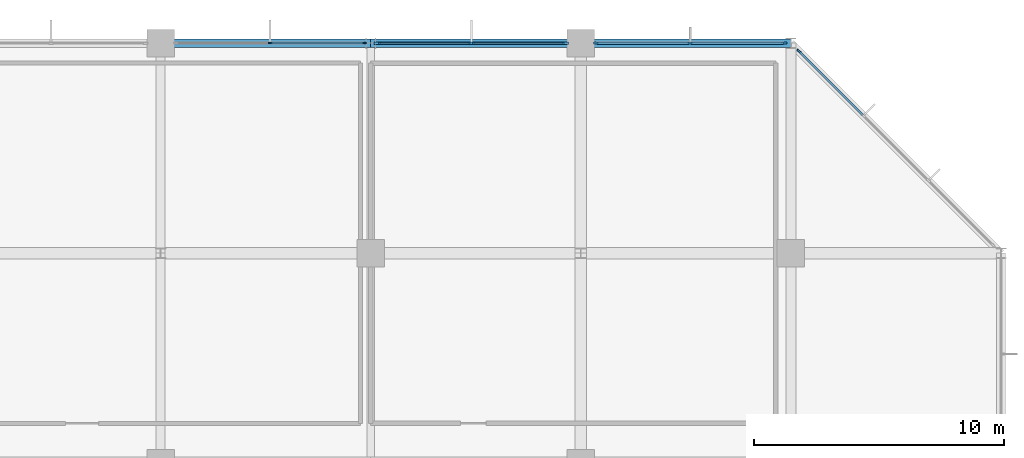
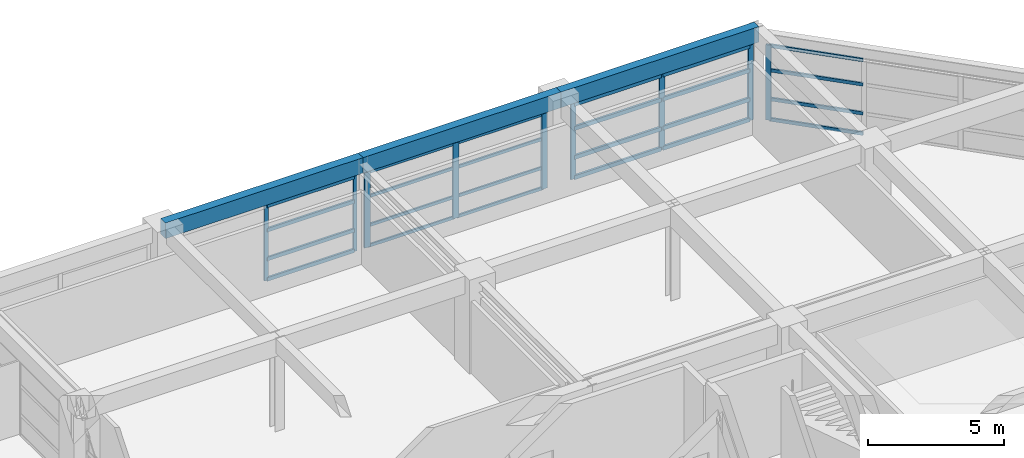
# One storey, part 26 of 34: 33 members, 3 beams, 4 elements without a shape of their own.
"""IFC4 building model written with IfcOpenShell, lengths in metres."""

from ifc_helpers import new_model, si_unit, direction, frame, origin, origin_2d, place, context, subcontext, project, spatial, rectangle, extrude, material, material_profile, profile_set, type_object, element, aggregate, save


model = new_model("IFC4")

# Units and contexts
model_context = context("Model", 3, precision=1e-05, world=origin(), true_north=direction((0.0, 1.0)))
body_context = subcontext(model_context, "Body", "Model", "MODEL_VIEW")
ifc_project = project(units=[si_unit("LENGTHUNIT", "METRE"), si_unit("AREAUNIT", "SQUARE_METRE"), si_unit("VOLUMEUNIT", "CUBIC_METRE"), si_unit("PLANEANGLEUNIT", "RADIAN"), si_unit("MASSUNIT", "GRAM", prefix="KILO")], contexts=[model_context])

# Site, building, storey
site_placement = place(None, origin())
site = spatial("IfcSite", under=ifc_project, at=site_placement, CompositionType="ELEMENT")
building_placement = place(site_placement, origin())
building = spatial("IfcBuilding", under=site, at=building_placement, Name="Xuanlan Plaza Opera House", CompositionType="ELEMENT")
storey_placement = place(building_placement, frame((0.0, 0.0, 27.89990234375)))
storey = spatial("IfcBuildingStorey", under=building, at=storey_placement, Name="L06", CompositionType="ELEMENT", Elevation=27.89990234375)

# Curtain wall, members
ifc_material_1 = material(Name="Anodised Aluminium 6063-T6 and Low-E Glass", Category="aluminium")
curtain_wall_type_1 = type_object("IfcCurtainWallType", Name="ENV-CW-CW-01", PredefinedType="USERDEFINED", material=ifc_material_1)
curtain_wall_1_placement = place(storey_placement, origin())
curtain_wall_1 = element("IfcCurtainWall", 1, at=curtain_wall_1_placement, inside=storey, type_object=curtain_wall_type_1, Name="Unitised Curtain Wall L06-013", ObjectType="UNITISED CURTAIN WALL", PredefinedType="USERDEFINED")
ifc_material_2 = material(Name="Anodised Aluminium 6063-T6", Category="aluminium")
ifc_material_profile_1 = material_profile(ifc_material_2, rectangle(XDim=0.06494140625, YDim=0.159912109375, at=origin_2d()), Name="ALU-M 65x160")
ifc_profile_set_1 = profile_set([ifc_material_profile_1], Name="Anodised Aluminium 6063-T6")
member_type_1 = type_object("IfcMemberType", Name="ENV-CWM-01", PredefinedType="MULLION", material=ifc_profile_set_1)
member_1_placement = place(storey_placement, frame((142.547607421875, 84.0, 0.0), z_axis=(0.0, 0.0, 1.0), x_axis=(0.0, -1.0, 0.0)))
member_1 = element("IfcMember", 2, at=member_1_placement, type_object=member_type_1, Name="CW-01 mullion 1", PredefinedType="MULLION", context=body_context, shape_type="SweptSolid", body=[
    extrude(rectangle(XDim=0.06494140625, YDim=0.159912109375, at=origin_2d()), origin(), (0.0, 0.0, 1.0), 3.380126953125),
])
member_2_placement = place(storey_placement, frame((138.77490234375, 84.0, 0.0), z_axis=(0.0, 0.0, 1.0), x_axis=(0.0, -1.0, 0.0)))
member_2 = element("IfcMember", 3, at=member_2_placement, type_object=member_type_1, Name="CW-01 mullion 2", PredefinedType="MULLION", context=body_context, shape_type="SweptSolid", body=[
    extrude(rectangle(XDim=0.06494140625, YDim=0.159912109375, at=origin_2d()), origin(), (0.0, 0.0, 1.0), 3.380126953125),
])

# Curtain wall, member
curtain_wall_type_2 = type_object("IfcCurtainWallType", Name="ENV-CW-CW-02", PredefinedType="USERDEFINED", material=ifc_material_1)
curtain_wall_2_placement = place(storey_placement, origin())
curtain_wall_2 = element("IfcCurtainWall", 4, at=curtain_wall_2_placement, inside=storey, type_object=curtain_wall_type_2, Name="Unitised Curtain Wall L06-010", ObjectType="UNITISED CURTAIN WALL", PredefinedType="USERDEFINED")
ifc_material_profile_2 = material_profile(ifc_material_2, rectangle(XDim=0.074951171875, YDim=0.199951171875, at=origin_2d()), Name="ALU-M 75x200")
ifc_profile_set_2 = profile_set([ifc_material_profile_2], Name="Anodised Aluminium 6063-T6")
member_type_2 = type_object("IfcMemberType", Name="ENV-CWM-03", PredefinedType="MULLION", material=ifc_profile_set_2)
member_3_placement = place(storey_placement, frame((159.925537109375, 83.674560546875, 0.0), z_axis=(0.0, 0.0, 1.0), x_axis=(-0.707106781187, -0.707106781187, 0.0)))
member_3 = element("IfcMember", 5, at=member_3_placement, type_object=member_type_2, Name="CW-02 mullion 4", PredefinedType="MULLION", context=body_context, shape_type="SweptSolid", body=[
    extrude(rectangle(XDim=0.074951171875, YDim=0.199951171875, at=origin_2d()), origin(), (0.0, 0.0, 1.0), 3.380126953125),
])

# Curtain wall, members
curtain_wall_type_3 = type_object("IfcCurtainWallType", Name="ENV-CW-CW-03", PredefinedType="USERDEFINED", material=ifc_material_1)
curtain_wall_3_placement = place(storey_placement, origin())
curtain_wall_3 = element("IfcCurtainWall", 6, at=curtain_wall_3_placement, inside=storey, type_object=curtain_wall_type_3, Name="Unitised Curtain Wall L06-011", ObjectType="UNITISED CURTAIN WALL", PredefinedType="USERDEFINED")
ifc_material_profile_3 = material_profile(ifc_material_2, rectangle(XDim=0.080078125, YDim=0.219970703125, at=origin_2d()), Name="ALU-M 80x220")
ifc_profile_set_3 = profile_set([ifc_material_profile_3], Name="Anodised Aluminium 6063-T6")
member_type_3 = type_object("IfcMemberType", Name="ENV-CWM-04", PredefinedType="MULLION", material=ifc_profile_set_3)
member_4_placement = place(storey_placement, frame((159.340087890625, 84.0, 0.0), z_axis=(0.0, 0.0, 1.0), x_axis=(0.0, -1.0, 0.0)))
member_4 = element("IfcMember", 7, at=member_4_placement, type_object=member_type_3, Name="CW-03 mullion 1", PredefinedType="MULLION", context=body_context, shape_type="SweptSolid", body=[
    extrude(rectangle(XDim=0.080078125, YDim=0.219970703125, at=origin_2d()), origin(), (0.0, 0.0, 1.0), 3.380126953125),
])
member_5_placement = place(storey_placement, frame((155.574951171875, 84.0, 0.0), z_axis=(0.0, 0.0, 1.0), x_axis=(0.0, -1.0, 0.0)))
member_5 = element("IfcMember", 8, at=member_5_placement, type_object=member_type_3, Name="CW-03 mullion 2", PredefinedType="MULLION", context=body_context, shape_type="SweptSolid", body=[
    extrude(rectangle(XDim=0.080078125, YDim=0.219970703125, at=origin_2d()), origin(), (0.0, 0.0, 1.0), 3.380126953125),
])
member_6_placement = place(storey_placement, frame((151.81005859375, 84.0, 0.0), z_axis=(0.0, 0.0, 1.0), x_axis=(0.0, -1.0, 0.0)))
member_6 = element("IfcMember", 9, at=member_6_placement, type_object=member_type_3, Name="CW-03 mullion 3", PredefinedType="MULLION", context=body_context, shape_type="SweptSolid", body=[
    extrude(rectangle(XDim=0.080078125, YDim=0.219970703125, at=origin_2d()), origin(), (0.0, 0.0, 1.0), 3.380126953125),
])

curtain_wall_type_4 = type_object("IfcCurtainWallType", Name="ENV-CW-CW-04", PredefinedType="USERDEFINED", material=ifc_material_1)
curtain_wall_4_placement = place(storey_placement, origin())
curtain_wall_4 = element("IfcCurtainWall", 10, at=curtain_wall_4_placement, inside=storey, type_object=curtain_wall_type_4, Name="Unitised Curtain Wall L06-012", ObjectType="UNITISED CURTAIN WALL", PredefinedType="USERDEFINED")
ifc_material_profile_4 = material_profile(ifc_material_2, rectangle(XDim=0.090087890625, YDim=0.25, at=origin_2d()), Name="ALU-M 90x250")
ifc_profile_set_4 = profile_set([ifc_material_profile_4], Name="Anodised Aluminium 6063-T6")
member_type_4 = type_object("IfcMemberType", Name="ENV-CWM-05", PredefinedType="MULLION", material=ifc_profile_set_4)
member_7_placement = place(storey_placement, frame((150.5849609375, 84.0, 0.0), z_axis=(0.0, 0.0, 1.0), x_axis=(0.0, -1.0, 0.0)))
member_7 = element("IfcMember", 11, at=member_7_placement, type_object=member_type_4, Name="CW-04 mullion 1", PredefinedType="MULLION", context=body_context, shape_type="SweptSolid", body=[
    extrude(rectangle(XDim=0.090087890625, YDim=0.25, at=origin_2d()), origin(), (0.0, 0.0, 1.0), 3.380126953125),
])
member_8_placement = place(storey_placement, frame((146.824951171875, 84.0, 0.0), z_axis=(0.0, 0.0, 1.0), x_axis=(0.0, -1.0, 0.0)))
member_8 = element("IfcMember", 12, at=member_8_placement, type_object=member_type_4, Name="CW-04 mullion 2", PredefinedType="MULLION", context=body_context, shape_type="SweptSolid", body=[
    extrude(rectangle(XDim=0.090087890625, YDim=0.25, at=origin_2d()), origin(), (0.0, 0.0, 1.0), 3.380126953125),
])
member_9_placement = place(storey_placement, frame((143.06494140625, 84.0, 0.0), z_axis=(0.0, 0.0, 1.0), x_axis=(0.0, -1.0, 0.0)))
member_9 = element("IfcMember", 13, at=member_9_placement, type_object=member_type_4, Name="CW-04 mullion 3", PredefinedType="MULLION", context=body_context, shape_type="SweptSolid", body=[
    extrude(rectangle(XDim=0.090087890625, YDim=0.25, at=origin_2d()), origin(), (0.0, 0.0, 1.0), 3.380126953125),
])
ifc_material_profile_5 = material_profile(ifc_material_2, rectangle(XDim=0.070068359375, YDim=0.135009765625, at=origin_2d()), Name="ALU-T 70x135")
ifc_profile_set_5 = profile_set([ifc_material_profile_5], Name="Anodised Aluminium 6063-T6")
member_type_5 = type_object("IfcMemberType", Name="ENV-CWT-02", PredefinedType="USERDEFINED", material=ifc_profile_set_5)
member_10_placement = place(storey_placement, frame((150.5400390625, 84.0, 0.03515625), z_axis=(-1.0, 0.0, 0.0), x_axis=(0.0, -1.0, 0.0)))
member_10 = element("IfcMember", 14, at=member_10_placement, type_object=member_type_5, Name="CW-04 transom 1.1", ObjectType="TRANSOM", PredefinedType="USERDEFINED", context=body_context, shape_type="SweptSolid", body=[
    extrude(rectangle(XDim=0.070068359375, YDim=0.135009765625, at=origin_2d()), origin(), (0.0, 0.0, 1.0), 3.669921875),
])
member_11_placement = place(storey_placement, frame((150.5400390625, 84.0, 0.9501953125), z_axis=(-1.0, 0.0, 0.0), x_axis=(0.0, -1.0, 0.0)))
member_11 = element("IfcMember", 15, at=member_11_placement, type_object=member_type_5, Name="CW-04 transom 1.2", ObjectType="TRANSOM", PredefinedType="USERDEFINED", context=body_context, shape_type="SweptSolid", body=[
    extrude(rectangle(XDim=0.070068359375, YDim=0.135009765625, at=origin_2d()), origin(), (0.0, 0.0, 1.0), 3.669921875),
])
member_12_placement = place(storey_placement, frame((150.5400390625, 84.0, 2.25), z_axis=(-1.0, 0.0, 0.0), x_axis=(0.0, -1.0, 0.0)))
member_12 = element("IfcMember", 16, at=member_12_placement, type_object=member_type_5, Name="CW-04 transom 1.3", ObjectType="TRANSOM", PredefinedType="USERDEFINED", context=body_context, shape_type="SweptSolid", body=[
    extrude(rectangle(XDim=0.070068359375, YDim=0.135009765625, at=origin_2d()), origin(), (0.0, 0.0, 1.0), 3.669921875),
])
member_13_placement = place(storey_placement, frame((150.5400390625, 84.0, 3.34521484375), z_axis=(-1.0, 0.0, 0.0), x_axis=(0.0, -1.0, 0.0)))
member_13 = element("IfcMember", 17, at=member_13_placement, type_object=member_type_5, Name="CW-04 transom 1.4", ObjectType="TRANSOM", PredefinedType="USERDEFINED", context=body_context, shape_type="SweptSolid", body=[
    extrude(rectangle(XDim=0.070068359375, YDim=0.135009765625, at=origin_2d()), origin(), (0.0, 0.0, 1.0), 3.669921875),
])
member_14_placement = place(storey_placement, frame((146.780029296875, 84.0, 0.03515625), z_axis=(-1.0, 0.0, 0.0), x_axis=(0.0, -1.0, 0.0)))
member_14 = element("IfcMember", 18, at=member_14_placement, type_object=member_type_5, Name="CW-04 transom 2.1", ObjectType="TRANSOM", PredefinedType="USERDEFINED", context=body_context, shape_type="SweptSolid", body=[
    extrude(rectangle(XDim=0.070068359375, YDim=0.135009765625, at=origin_2d()), origin(), (0.0, 0.0, 1.0), 3.669921875),
])
member_15_placement = place(storey_placement, frame((146.780029296875, 84.0, 0.9501953125), z_axis=(-1.0, 0.0, 0.0), x_axis=(0.0, -1.0, 0.0)))
member_15 = element("IfcMember", 19, at=member_15_placement, type_object=member_type_5, Name="CW-04 transom 2.2", ObjectType="TRANSOM", PredefinedType="USERDEFINED", context=body_context, shape_type="SweptSolid", body=[
    extrude(rectangle(XDim=0.070068359375, YDim=0.135009765625, at=origin_2d()), origin(), (0.0, 0.0, 1.0), 3.669921875),
])
member_16_placement = place(storey_placement, frame((146.780029296875, 84.0, 2.25), z_axis=(-1.0, 0.0, 0.0), x_axis=(0.0, -1.0, 0.0)))
member_16 = element("IfcMember", 20, at=member_16_placement, type_object=member_type_5, Name="CW-04 transom 2.3", ObjectType="TRANSOM", PredefinedType="USERDEFINED", context=body_context, shape_type="SweptSolid", body=[
    extrude(rectangle(XDim=0.070068359375, YDim=0.135009765625, at=origin_2d()), origin(), (0.0, 0.0, 1.0), 3.669921875),
])
member_17_placement = place(storey_placement, frame((146.780029296875, 84.0, 3.34521484375), z_axis=(-1.0, 0.0, 0.0), x_axis=(0.0, -1.0, 0.0)))
member_17 = element("IfcMember", 21, at=member_17_placement, type_object=member_type_5, Name="CW-04 transom 2.4", ObjectType="TRANSOM", PredefinedType="USERDEFINED", context=body_context, shape_type="SweptSolid", body=[
    extrude(rectangle(XDim=0.070068359375, YDim=0.135009765625, at=origin_2d()), origin(), (0.0, 0.0, 1.0), 3.669921875),
])
aggregate(curtain_wall_4, [member_7, member_8, member_9, member_10, member_11, member_12, member_13, member_14, member_15, member_16, member_17])

# Member
ifc_material_profile_6 = material_profile(ifc_material_2, rectangle(XDim=0.074951171875, YDim=0.14990234375, at=origin_2d()), Name="ALU-T 75x150")
ifc_profile_set_6 = profile_set([ifc_material_profile_6], Name="Anodised Aluminium 6063-T6")
member_type_6 = type_object("IfcMemberType", Name="ENV-CWT-03", PredefinedType="USERDEFINED", material=ifc_profile_set_6)
member_18_placement = place(storey_placement, frame((162.47314453125, 81.126953125, 0.03759765625), z_axis=(-0.707106781187, 0.707106781187, 0.0), x_axis=(-0.707106781187, -0.707106781187, 0.0)))
member_18 = element("IfcMember", 22, at=member_18_placement, type_object=member_type_6, Name="CW-02 transom 3.1", ObjectType="TRANSOM", PredefinedType="USERDEFINED", context=body_context, shape_type="SweptSolid", body=[
    extrude(rectangle(XDim=0.074951171875, YDim=0.14990234375, at=origin_2d()), origin(), (0.0, 0.0, 1.0), 3.565185546875),
])

member_19_placement = place(storey_placement, frame((162.47314453125, 81.126953125, 0.9501953125), z_axis=(-0.707106781187, 0.707106781187, 0.0), x_axis=(-0.707106781187, -0.707106781187, 0.0)))
member_19 = element("IfcMember", 23, at=member_19_placement, type_object=member_type_6, Name="CW-02 transom 3.2", ObjectType="TRANSOM", PredefinedType="USERDEFINED", context=body_context, shape_type="SweptSolid", body=[
    extrude(rectangle(XDim=0.074951171875, YDim=0.14990234375, at=origin_2d()), origin(), (0.0, 0.0, 1.0), 3.565185546875),
])

member_20_placement = place(storey_placement, frame((162.47314453125, 81.126953125, 2.25), z_axis=(-0.707106781187, 0.707106781187, 0.0), x_axis=(-0.707106781187, -0.707106781187, 0.0)))
member_20 = element("IfcMember", 24, at=member_20_placement, type_object=member_type_6, Name="CW-02 transom 3.3", ObjectType="TRANSOM", PredefinedType="USERDEFINED", context=body_context, shape_type="SweptSolid", body=[
    extrude(rectangle(XDim=0.074951171875, YDim=0.14990234375, at=origin_2d()), origin(), (0.0, 0.0, 1.0), 3.565185546875),
])

member_21_placement = place(storey_placement, frame((162.47314453125, 81.126953125, 3.342529296875), z_axis=(-0.707106781187, 0.707106781187, 0.0), x_axis=(-0.707106781187, -0.707106781187, 0.0)))
member_21 = element("IfcMember", 25, at=member_21_placement, type_object=member_type_6, Name="CW-02 transom 3.4", ObjectType="TRANSOM", PredefinedType="USERDEFINED", context=body_context, shape_type="SweptSolid", body=[
    extrude(rectangle(XDim=0.074951171875, YDim=0.14990234375, at=origin_2d()), origin(), (0.0, 0.0, 1.0), 3.565185546875),
])

aggregate(curtain_wall_2, [member_3, member_18, member_19, member_20, member_21])

ifc_material_profile_7 = material_profile(ifc_material_2, rectangle(XDim=0.080078125, YDim=0.1650390625, at=origin_2d()), Name="ALU-T 80x165")
ifc_profile_set_7 = profile_set([ifc_material_profile_7], Name="Anodised Aluminium 6063-T6")
member_type_7 = type_object("IfcMemberType", Name="ENV-CWT-04", PredefinedType="USERDEFINED", material=ifc_profile_set_7)
member_22_placement = place(storey_placement, frame((142.514892578125, 84.0, 0.0400390625), z_axis=(-1.0, 0.0, 0.0), x_axis=(0.0, -1.0, 0.0)))
member_22 = element("IfcMember", 26, at=member_22_placement, type_object=member_type_7, Name="CW-01 transom 1.1", ObjectType="TRANSOM", PredefinedType="USERDEFINED", context=body_context, shape_type="SweptSolid", body=[
    extrude(rectangle(XDim=0.080078125, YDim=0.1650390625, at=origin_2d()), origin(), (0.0, 0.0, 1.0), 3.707275390625),
])

member_23_placement = place(storey_placement, frame((142.514892578125, 84.0, 0.9501953125), z_axis=(-1.0, 0.0, 0.0), x_axis=(0.0, -1.0, 0.0)))
member_23 = element("IfcMember", 27, at=member_23_placement, type_object=member_type_7, Name="CW-01 transom 1.2", ObjectType="TRANSOM", PredefinedType="USERDEFINED", context=body_context, shape_type="SweptSolid", body=[
    extrude(rectangle(XDim=0.080078125, YDim=0.1650390625, at=origin_2d()), origin(), (0.0, 0.0, 1.0), 3.707275390625),
])

member_24_placement = place(storey_placement, frame((142.514892578125, 84.0, 2.25), z_axis=(-1.0, 0.0, 0.0), x_axis=(0.0, -1.0, 0.0)))
member_24 = element("IfcMember", 28, at=member_24_placement, type_object=member_type_7, Name="CW-01 transom 1.3", ObjectType="TRANSOM", PredefinedType="USERDEFINED", context=body_context, shape_type="SweptSolid", body=[
    extrude(rectangle(XDim=0.080078125, YDim=0.1650390625, at=origin_2d()), origin(), (0.0, 0.0, 1.0), 3.707275390625),
])

member_25_placement = place(storey_placement, frame((142.514892578125, 84.0, 3.340087890625), z_axis=(-1.0, 0.0, 0.0), x_axis=(0.0, -1.0, 0.0)))
member_25 = element("IfcMember", 29, at=member_25_placement, type_object=member_type_7, Name="CW-01 transom 1.4", ObjectType="TRANSOM", PredefinedType="USERDEFINED", context=body_context, shape_type="SweptSolid", body=[
    extrude(rectangle(XDim=0.080078125, YDim=0.1650390625, at=origin_2d()), origin(), (0.0, 0.0, 1.0), 3.707275390625),
])

aggregate(curtain_wall_1, [member_1, member_2, member_22, member_23, member_24, member_25])

ifc_material_profile_8 = material_profile(ifc_material_2, rectangle(XDim=0.090087890625, YDim=0.179931640625, at=origin_2d()), Name="ALU-T 90x180")
ifc_profile_set_8 = profile_set([ifc_material_profile_8], Name="Anodised Aluminium 6063-T6")
member_type_8 = type_object("IfcMemberType", Name="ENV-CWT-05", PredefinedType="USERDEFINED", material=ifc_profile_set_8)
member_26_placement = place(storey_placement, frame((159.300048828125, 84.0, 0.045166015625), z_axis=(-1.0, 0.0, 0.0), x_axis=(0.0, -1.0, 0.0)))
member_26 = element("IfcMember", 30, at=member_26_placement, type_object=member_type_8, Name="CW-03 transom 1.1", ObjectType="TRANSOM", PredefinedType="USERDEFINED", context=body_context, shape_type="SweptSolid", body=[
    extrude(rectangle(XDim=0.090087890625, YDim=0.179931640625, at=origin_2d()), origin(), (0.0, 0.0, 1.0), 3.68505859375),
])

member_27_placement = place(storey_placement, frame((159.300048828125, 84.0, 0.9501953125), z_axis=(-1.0, 0.0, 0.0), x_axis=(0.0, -1.0, 0.0)))
member_27 = element("IfcMember", 31, at=member_27_placement, type_object=member_type_8, Name="CW-03 transom 1.2", ObjectType="TRANSOM", PredefinedType="USERDEFINED", context=body_context, shape_type="SweptSolid", body=[
    extrude(rectangle(XDim=0.090087890625, YDim=0.179931640625, at=origin_2d()), origin(), (0.0, 0.0, 1.0), 3.68505859375),
])

member_28_placement = place(storey_placement, frame((159.300048828125, 84.0, 2.25), z_axis=(-1.0, 0.0, 0.0), x_axis=(0.0, -1.0, 0.0)))
member_28 = element("IfcMember", 32, at=member_28_placement, type_object=member_type_8, Name="CW-03 transom 1.3", ObjectType="TRANSOM", PredefinedType="USERDEFINED", context=body_context, shape_type="SweptSolid", body=[
    extrude(rectangle(XDim=0.090087890625, YDim=0.179931640625, at=origin_2d()), origin(), (0.0, 0.0, 1.0), 3.68505859375),
])

member_29_placement = place(storey_placement, frame((159.300048828125, 84.0, 3.335205078125), z_axis=(-1.0, 0.0, 0.0), x_axis=(0.0, -1.0, 0.0)))
member_29 = element("IfcMember", 33, at=member_29_placement, type_object=member_type_8, Name="CW-03 transom 1.4", ObjectType="TRANSOM", PredefinedType="USERDEFINED", context=body_context, shape_type="SweptSolid", body=[
    extrude(rectangle(XDim=0.090087890625, YDim=0.179931640625, at=origin_2d()), origin(), (0.0, 0.0, 1.0), 3.68505859375),
])

member_30_placement = place(storey_placement, frame((155.534912109375, 84.0, 0.045166015625), z_axis=(-1.0, 0.0, 0.0), x_axis=(0.0, -1.0, 0.0)))
member_30 = element("IfcMember", 34, at=member_30_placement, type_object=member_type_8, Name="CW-03 transom 2.1", ObjectType="TRANSOM", PredefinedType="USERDEFINED", context=body_context, shape_type="SweptSolid", body=[
    extrude(rectangle(XDim=0.090087890625, YDim=0.179931640625, at=origin_2d()), origin(), (0.0, 0.0, 1.0), 3.684814453125),
])

member_31_placement = place(storey_placement, frame((155.534912109375, 84.0, 0.9501953125), z_axis=(-1.0, 0.0, 0.0), x_axis=(0.0, -1.0, 0.0)))
member_31 = element("IfcMember", 35, at=member_31_placement, type_object=member_type_8, Name="CW-03 transom 2.2", ObjectType="TRANSOM", PredefinedType="USERDEFINED", context=body_context, shape_type="SweptSolid", body=[
    extrude(rectangle(XDim=0.090087890625, YDim=0.179931640625, at=origin_2d()), origin(), (0.0, 0.0, 1.0), 3.684814453125),
])

member_32_placement = place(storey_placement, frame((155.534912109375, 84.0, 2.25), z_axis=(-1.0, 0.0, 0.0), x_axis=(0.0, -1.0, 0.0)))
member_32 = element("IfcMember", 36, at=member_32_placement, type_object=member_type_8, Name="CW-03 transom 2.3", ObjectType="TRANSOM", PredefinedType="USERDEFINED", context=body_context, shape_type="SweptSolid", body=[
    extrude(rectangle(XDim=0.090087890625, YDim=0.179931640625, at=origin_2d()), origin(), (0.0, 0.0, 1.0), 3.684814453125),
])

member_33_placement = place(storey_placement, frame((155.534912109375, 84.0, 3.335205078125), z_axis=(-1.0, 0.0, 0.0), x_axis=(0.0, -1.0, 0.0)))
member_33 = element("IfcMember", 37, at=member_33_placement, type_object=member_type_8, Name="CW-03 transom 2.4", ObjectType="TRANSOM", PredefinedType="USERDEFINED", context=body_context, shape_type="SweptSolid", body=[
    extrude(rectangle(XDim=0.090087890625, YDim=0.179931640625, at=origin_2d()), origin(), (0.0, 0.0, 1.0), 3.684814453125),
])

aggregate(curtain_wall_3, [member_4, member_5, member_6, member_26, member_27, member_28, member_29, member_30, member_31, member_32, member_33])

# Beams
ifc_material_3 = material(Name="Concrete C40", Category="concrete")
ifc_material_profile_9 = material_profile(ifc_material_3, rectangle(XDim=0.35009765625, YDim=0.699951171875, at=origin_2d()), Name="RC-SPD 350x700")
ifc_profile_set_9 = profile_set([ifc_material_profile_9], Name="Concrete C40")
beam_type = type_object("IfcBeamType", Name="STR-BM-SP-02", PredefinedType="SPANDREL", material=ifc_profile_set_9)
beam_1_placement = place(storey_placement, frame((134.39990234375, 84.0, 3.85009765625), z_axis=(1.0, 0.0, 0.0), x_axis=(0.0, 1.0, 0.0)))
element("IfcBeam", 38, at=beam_1_placement, inside=storey, type_object=beam_type, Name="Grid Beam X L06 17-18/K", PredefinedType="SPANDREL", context=body_context, shape_type="SweptSolid", body=[
    extrude(rectangle(XDim=0.35009765625, YDim=0.699951171875, at=origin_2d()), origin(), (0.0, 0.0, 1.0), 8.400146484375),
])
beam_2_placement = place(storey_placement, frame((142.800048828125, 84.0, 3.85009765625), z_axis=(1.0, 0.0, 0.0), x_axis=(0.0, 1.0, 0.0)))
element("IfcBeam", 39, at=beam_2_placement, inside=storey, type_object=beam_type, Name="Grid Beam X L06 18-19/K", PredefinedType="SPANDREL", context=body_context, shape_type="SweptSolid", body=[
    extrude(rectangle(XDim=0.35009765625, YDim=0.699951171875, at=origin_2d()), origin(), (0.0, 0.0, 1.0), 8.39990234375),
])
beam_3_placement = place(storey_placement, frame((151.199951171875, 84.0, 3.85009765625), z_axis=(1.0, 0.0, 0.0), x_axis=(0.0, 1.0, 0.0)))
element("IfcBeam", 40, at=beam_3_placement, inside=storey, type_object=beam_type, Name="Grid Beam X L06 19-20/K", PredefinedType="SPANDREL", context=body_context, shape_type="SweptSolid", body=[
    extrude(rectangle(XDim=0.35009765625, YDim=0.699951171875, at=origin_2d()), origin(), (0.0, 0.0, 1.0), 8.400146484375),
])

save(model, "model.ifc")
